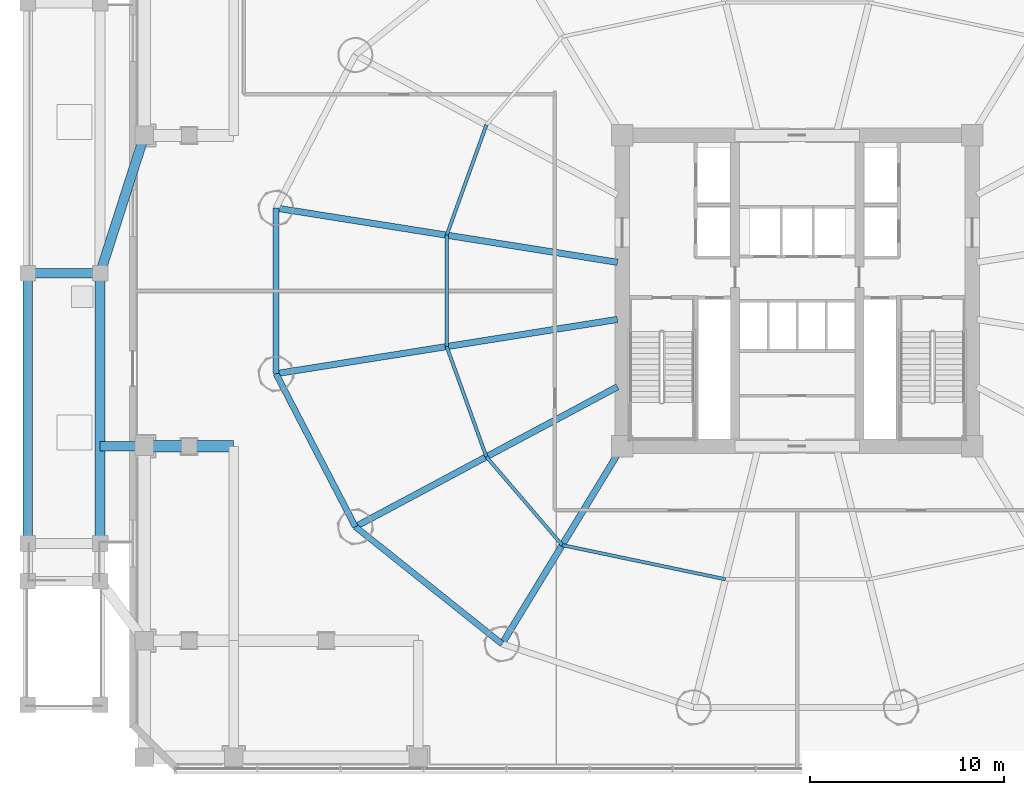
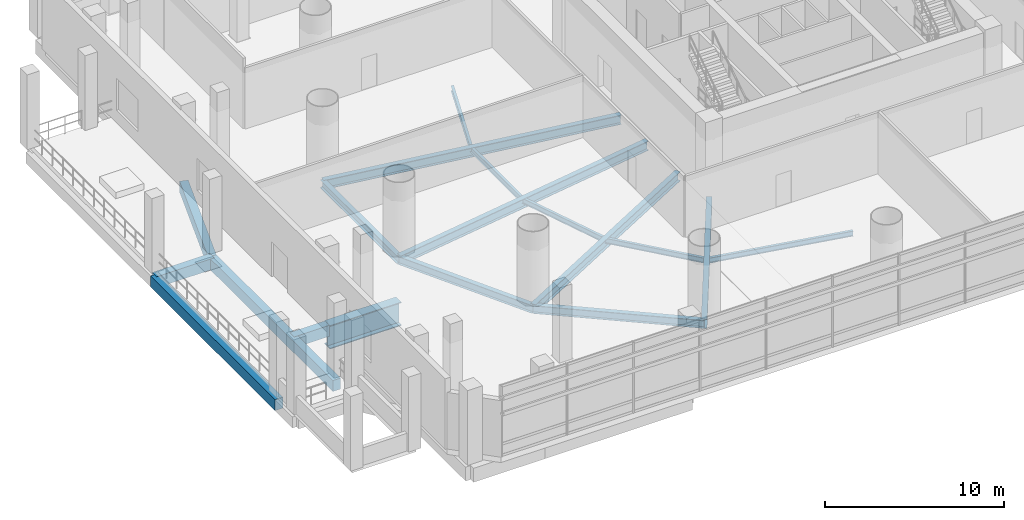
# One storey, part 5 of 31: 18 beams.
"""IFC4 building model written with IfcOpenShell, lengths in metres."""

from ifc_helpers import new_model, si_unit, direction, frame, origin, origin_2d, place, context, subcontext, project, spatial, rectangle, i_section, extrude, material, material_profile, profile_set, type_object, element, save


model = new_model("IFC4")

# Units and contexts
model_context = context("Model", 3, precision=1e-05, world=origin(), true_north=direction((-0.2419218956, 0.970295726276)))
body_context = subcontext(model_context, "Body", "Model", "MODEL_VIEW")
ifc_project = project(units=[si_unit("LENGTHUNIT", "METRE"), si_unit("AREAUNIT", "SQUARE_METRE"), si_unit("VOLUMEUNIT", "CUBIC_METRE"), si_unit("PLANEANGLEUNIT", "RADIAN"), si_unit("MASSUNIT", "GRAM", prefix="KILO")], contexts=[model_context])

# Site, building, storey
site_placement = place(None, origin())
site = spatial("IfcSite", under=ifc_project, at=site_placement, CompositionType="ELEMENT")
building_placement = place(site_placement, origin())
building = spatial("IfcBuilding", under=site, at=building_placement, Name="Cobrevalo Terracotta Tower", CompositionType="ELEMENT")
storey_placement = place(building_placement, frame((0.0, 0.0, 18.89990234375)))
storey = spatial("IfcBuildingStorey", under=building, at=storey_placement, Name="L04", CompositionType="ELEMENT", Elevation=18.89990234375)

# Beams
ifc_material_1 = material(Name="Steel S355", Category="steel")
ifc_material_profile_1 = material_profile(ifc_material_1, i_section(OverallWidth=0.3291015625, OverallDepth=0.635009765625, WebThickness=0.017822265625, FlangeThickness=0.031005859375, at=origin_2d()), Name="W 610x241")
ifc_profile_set_1 = profile_set([ifc_material_profile_1], Name="Steel S355")
beam_type_1 = type_object("IfcBeamType", Name="Structural Beam W 610x241 (Steel S355)", PredefinedType="BEAM", material=ifc_profile_set_1)
for number, where, z_axis, x_axis, name in (
    (1, (11.175537109375, 31.062744140625, -0.767333984375), (0.987607924622, -0.156941349628, 0.0), (0.156941349628, 0.987607924622, 0.0), "L04 radial floor girder 08"),
    (2, (11.175537109375, 22.537353515625, -0.767333984375), (0.987607924622, 0.156941349628, 0.0), (-0.156941349628, 0.987607924622, 0.0), "L04 radial floor girder 09"),
):
    element("IfcBeam", number, at=place(storey_placement, frame(where, z_axis=z_axis, x_axis=x_axis)), inside=storey, type_object=beam_type_1, Name=name, PredefinedType="BEAM", context=body_context, shape_type="SweptSolid", body=[
        extrude(i_section(OverallWidth=0.3291015625, OverallDepth=0.635009765625, WebThickness=0.017822265625, FlangeThickness=0.031005859375, at=origin_2d()), origin(), (0.0, 0.0, 1.0), 17.7900390625),
    ])
beam_1_placement = place(storey_placement, frame((15.25927734375, 14.660888671875, -0.767333984375), z_axis=(0.88218223571, 0.470908168329, 0.0), x_axis=(-0.470908168329, 0.88218223571, 0.0)))
element("IfcBeam", 3, at=beam_1_placement, inside=storey, type_object=beam_type_1, Name="L04 radial floor girder 10", PredefinedType="BEAM", context=body_context, shape_type="SweptSolid", body=[
    extrude(i_section(OverallWidth=0.3291015625, OverallDepth=0.635009765625, WebThickness=0.017822265625, FlangeThickness=0.031005859375, at=origin_2d()), origin(), (0.0, 0.0, 1.0), 15.286865234375),
])
beam_2_placement = place(storey_placement, frame((22.80517578125, 8.63232421875, -0.767333984375), z_axis=(0.520300780853, 0.853983077961, 0.0), x_axis=(-0.853983077961, 0.520300780853, 0.0)))
element("IfcBeam", 4, at=beam_2_placement, inside=storey, type_object=beam_type_1, Name="L04 radial floor girder 11", PredefinedType="BEAM", context=body_context, shape_type="SweptSolid", body=[
    extrude(i_section(OverallWidth=0.3291015625, OverallDepth=0.635009765625, WebThickness=0.017822265625, FlangeThickness=0.031005859375, at=origin_2d()), origin(), (0.0, 0.0, 1.0), 11.90625),
])
ifc_material_profile_2 = material_profile(ifc_material_1, i_section(OverallWidth=0.1708984375, OverallDepth=0.35498046875, WebThickness=0.007080078125, FlangeThickness=0.01171875, at=origin_2d()), Name="W 360x51")
ifc_profile_set_2 = profile_set([ifc_material_profile_2], Name="Steel S355")
beam_type_2 = type_object("IfcBeamType", Name="Structural Joist W 360x51 (Steel S355)", PredefinedType="JOIST", material=ifc_profile_set_2)
beam_3_placement = place(storey_placement, frame((22.002197265625, 35.33984375, -0.62744140625), z_axis=(-0.338672151116, -0.940904444701, 0.0), x_axis=(0.940904444701, -0.338672151116, 0.0)))
element("IfcBeam", 5, at=beam_3_placement, inside=storey, type_object=beam_type_2, Name="L04 circumferential secondary floor joist 07", PredefinedType="JOIST", context=body_context, shape_type="SweptSolid", body=[
    extrude(i_section(OverallWidth=0.1708984375, OverallDepth=0.35498046875, WebThickness=0.007080078125, FlangeThickness=0.01171875, at=origin_2d()), origin(), (0.0, 0.0, 1.0), 6.029296875),
])
beam_4_placement = place(storey_placement, frame((19.960205078125, 29.666748046875, -0.62744140625), z_axis=(0.0, -1.0, 0.0), x_axis=(1.0, 0.0, 0.0)))
element("IfcBeam", 6, at=beam_4_placement, inside=storey, type_object=beam_type_2, Name="L04 circumferential secondary floor joist 08", PredefinedType="JOIST", context=body_context, shape_type="SweptSolid", body=[
    extrude(i_section(OverallWidth=0.1708984375, OverallDepth=0.35498046875, WebThickness=0.007080078125, FlangeThickness=0.01171875, at=origin_2d()), origin(), (0.0, 0.0, 1.0), 5.7333984375),
])
beam_5_placement = place(storey_placement, frame((19.960205078125, 23.933349609375, -0.62744140625), z_axis=(0.338672151116, -0.940904444701, 0.0), x_axis=(0.940904444701, 0.338672151116, 0.0)))
element("IfcBeam", 7, at=beam_5_placement, inside=storey, type_object=beam_type_2, Name="L04 circumferential secondary floor joist 09", PredefinedType="JOIST", context=body_context, shape_type="SweptSolid", body=[
    extrude(i_section(OverallWidth=0.1708984375, OverallDepth=0.35498046875, WebThickness=0.007080078125, FlangeThickness=0.01171875, at=origin_2d()), origin(), (0.0, 0.0, 1.0), 6.029296875),
])
beam_6_placement = place(storey_placement, frame((22.002197265625, 18.26025390625, -0.62744140625), z_axis=(0.651328404454, -0.758795960421, 0.0), x_axis=(0.758795960421, 0.651328404454, 0.0)))
element("IfcBeam", 8, at=beam_6_placement, inside=storey, type_object=beam_type_2, Name="L04 circumferential secondary floor joist 10", PredefinedType="JOIST", context=body_context, shape_type="SweptSolid", body=[
    extrude(i_section(OverallWidth=0.1708984375, OverallDepth=0.35498046875, WebThickness=0.007080078125, FlangeThickness=0.01171875, at=origin_2d()), origin(), (0.0, 0.0, 1.0), 5.98828125),
])
beam_7_placement = place(storey_placement, frame((25.902587890625, 13.71630859375, -0.62744140625), z_axis=(0.978784523904, -0.204892302848, 0.0), x_axis=(0.204892302848, 0.978784523904, 0.0)))
element("IfcBeam", 9, at=beam_7_placement, inside=storey, type_object=beam_type_2, Name="L04 circumferential secondary floor joist 11", PredefinedType="JOIST", context=body_context, shape_type="SweptSolid", body=[
    extrude(i_section(OverallWidth=0.1708984375, OverallDepth=0.35498046875, WebThickness=0.007080078125, FlangeThickness=0.01171875, at=origin_2d()), origin(), (0.0, 0.0, 1.0), 8.583984375),
])
ifc_material_profile_3 = material_profile(ifc_material_1, i_section(OverallWidth=0.31201171875, OverallDepth=0.54296875, WebThickness=0.0126953125, FlangeThickness=0.020263671875, at=origin_2d()), Name="W 530x150")
ifc_profile_set_3 = profile_set([ifc_material_profile_3], Name="Steel S355")
beam_type_3 = type_object("IfcBeamType", Name="Structural Spandrel W 530x150 (Steel S355)", PredefinedType="SPANDREL", material=ifc_profile_set_3)
beam_8_placement = place(storey_placement, frame((11.175537109375, 31.062744140625, -0.721435546875), z_axis=(0.0, -1.0, 0.0), x_axis=(1.0, 0.0, 0.0)))
element("IfcBeam", 10, at=beam_8_placement, inside=storey, type_object=beam_type_3, Name="L04 perimeter ring spandrel 08", PredefinedType="SPANDREL", context=body_context, shape_type="SweptSolid", body=[
    extrude(i_section(OverallWidth=0.31201171875, OverallDepth=0.54296875, WebThickness=0.0126953125, FlangeThickness=0.020263671875, at=origin_2d()), origin(), (0.0, 0.0, 1.0), 8.525390625),
])
beam_9_placement = place(storey_placement, frame((11.175537109375, 22.537353515625, -0.721435546875), z_axis=(0.460285838799, -0.88777077368, 0.0), x_axis=(0.88777077368, 0.460285838799, 0.0)))
element("IfcBeam", 11, at=beam_9_placement, inside=storey, type_object=beam_type_3, Name="L04 perimeter ring spandrel 09", PredefinedType="SPANDREL", context=body_context, shape_type="SweptSolid", body=[
    extrude(i_section(OverallWidth=0.31201171875, OverallDepth=0.54296875, WebThickness=0.0126953125, FlangeThickness=0.020263671875, at=origin_2d()), origin(), (0.0, 0.0, 1.0), 8.8720703125),
])
beam_10_placement = place(storey_placement, frame((15.25927734375, 14.660888671875, -0.721435546875), z_axis=(0.781280479891, -0.62418011162, 0.0), x_axis=(0.62418011162, 0.781280479891, 0.0)))
element("IfcBeam", 12, at=beam_10_placement, inside=storey, type_object=beam_type_3, Name="L04 perimeter ring spandrel 10", PredefinedType="SPANDREL", context=body_context, shape_type="SweptSolid", body=[
    extrude(i_section(OverallWidth=0.31201171875, OverallDepth=0.54296875, WebThickness=0.0126953125, FlangeThickness=0.020263671875, at=origin_2d()), origin(), (0.0, 0.0, 1.0), 9.658447265625),
])
ifc_material_2 = material(Name="Concrete C50", Category="concrete")
ifc_material_profile_4 = material_profile(ifc_material_2, rectangle(XDim=0.5, YDim=0.75, at=origin_2d()), Name="RC BM 500x750")
ifc_profile_set_4 = profile_set([ifc_material_profile_4], Name="Concrete C50")
beam_type_4 = type_object("IfcBeamType", Name="Structural T Beam RC BM 500x750 (Concrete C50)", PredefinedType="T_BEAM", material=ifc_profile_set_4)
for number, where, z_axis, x_axis, name in (
    (13, (-1.60009765625, 13.800048828125, -0.824951171875), (0.0, 1.0, 0.0), (-1.0, 0.0, 0.0), "L04 garden wing edge beam W1-1"),
    (14, (2.1201171875, 13.800048828125, -0.824951171875), (0.0, 1.0, 0.0), (-1.0, 0.0, 0.0), "L04 garden wing edge beam W2-1"),
):
    element("IfcBeam", number, at=place(storey_placement, frame(where, z_axis=z_axis, x_axis=x_axis)), inside=storey, type_object=beam_type_4, Name=name, PredefinedType="T_BEAM", context=body_context, shape_type="SweptSolid", body=[
        extrude(rectangle(XDim=0.5, YDim=0.75, at=origin_2d()), origin(), (0.0, 0.0, 1.0), 13.89990234375),
    ])
beam_11_placement = place(storey_placement, frame((-1.60009765625, 27.699951171875, -0.824951171875), z_axis=(1.0, 0.0, 0.0), x_axis=(0.0, 1.0, 0.0)))
element("IfcBeam", 15, at=beam_11_placement, inside=storey, type_object=beam_type_4, Name="L04 garden wing cross beam W1", PredefinedType="T_BEAM", context=body_context, shape_type="SweptSolid", body=[
    extrude(rectangle(XDim=0.5, YDim=0.75, at=origin_2d()), origin(), (0.0, 0.0, 1.0), 3.72021484375),
])
beam_12_placement = place(storey_placement, frame((4.39990234375, 18.800048828125, -0.824951171875), z_axis=(-1.0, 0.0, 0.0), x_axis=(0.0, -1.0, 0.0)))
element("IfcBeam", 16, at=beam_12_placement, inside=storey, type_object=beam_type_4, Name="L04 garden deck tie beam W2", PredefinedType="T_BEAM", context=body_context, shape_type="SweptSolid", body=[
    extrude(rectangle(XDim=0.5, YDim=0.75, at=origin_2d()), origin(), (0.0, 0.0, 1.0), 2.27978515625),
])
beam_13_placement = place(storey_placement, frame((4.39990234375, 34.800048828125, -0.824951171875), z_axis=(-0.305718790158, -0.952121852151, 0.0), x_axis=(0.952121852151, -0.305718790158, 0.0)))
element("IfcBeam", 17, at=beam_13_placement, inside=storey, type_object=beam_type_4, Name="L04 garden deck tie beam W3", PredefinedType="T_BEAM", context=body_context, shape_type="SweptSolid", body=[
    extrude(rectangle(XDim=0.5, YDim=0.75, at=origin_2d()), origin(), (0.0, 0.0, 1.0), 7.45703125),
])
ifc_material_profile_5 = material_profile(ifc_material_1, i_section(OverallWidth=0.60009765625, OverallDepth=1.60009765625, WebThickness=0.031982421875, FlangeThickness=0.054931640625, at=origin_2d()), Name="PG 1600x600")
ifc_profile_set_5 = profile_set([ifc_material_profile_5], Name="Steel S355")
beam_type_5 = type_object("IfcBeamType", Name="Transfer Girder PG 1600x600 (Steel S355)", PredefinedType="BEAM", material=ifc_profile_set_5)
beam_14_placement = place(storey_placement, frame((4.39990234375, 18.800048828125, -1.25), z_axis=(1.0, 0.0, 0.0), x_axis=(0.0, 1.0, 0.0)))
element("IfcBeam", 18, at=beam_14_placement, inside=storey, type_object=beam_type_5, Name="L04 podium transfer girder TG-W3", PredefinedType="BEAM", context=body_context, shape_type="SweptSolid", body=[
    extrude(i_section(OverallWidth=0.60009765625, OverallDepth=1.60009765625, WebThickness=0.031982421875, FlangeThickness=0.054931640625, at=origin_2d()), origin(), (0.0, 0.0, 1.0), 4.60009765625),
])

save(model, "model.ifc")
